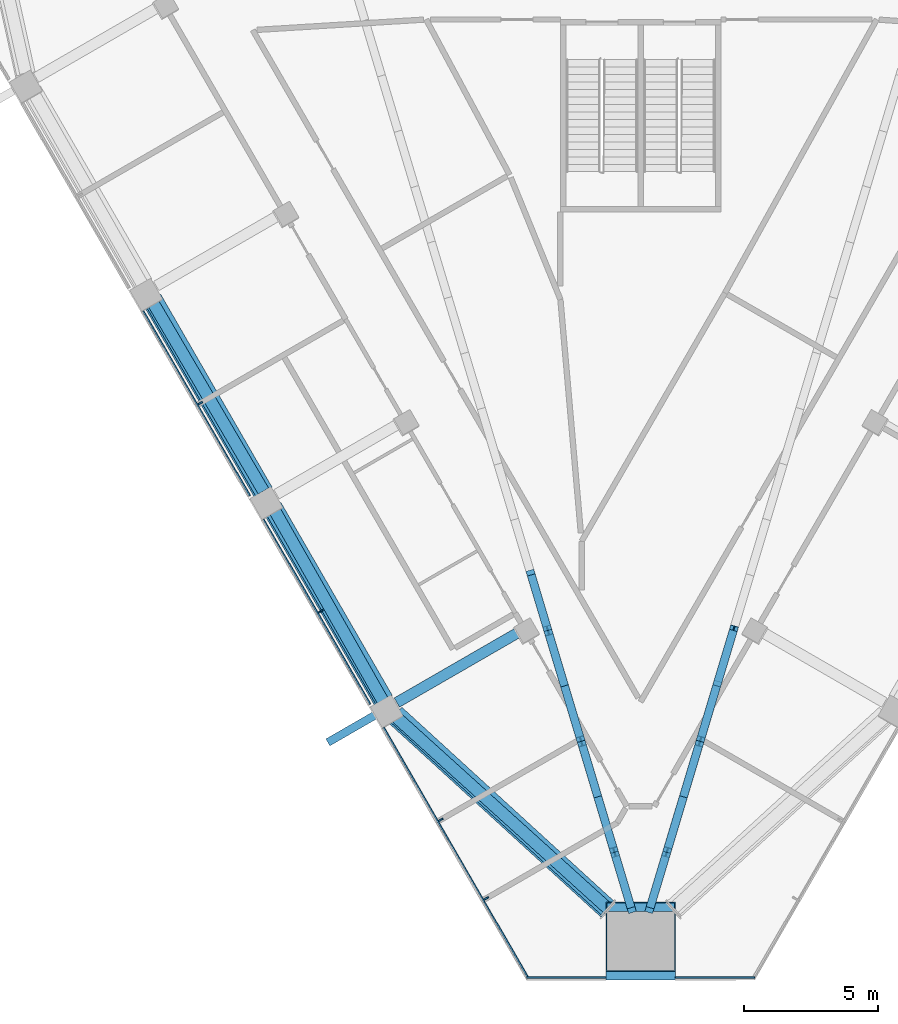
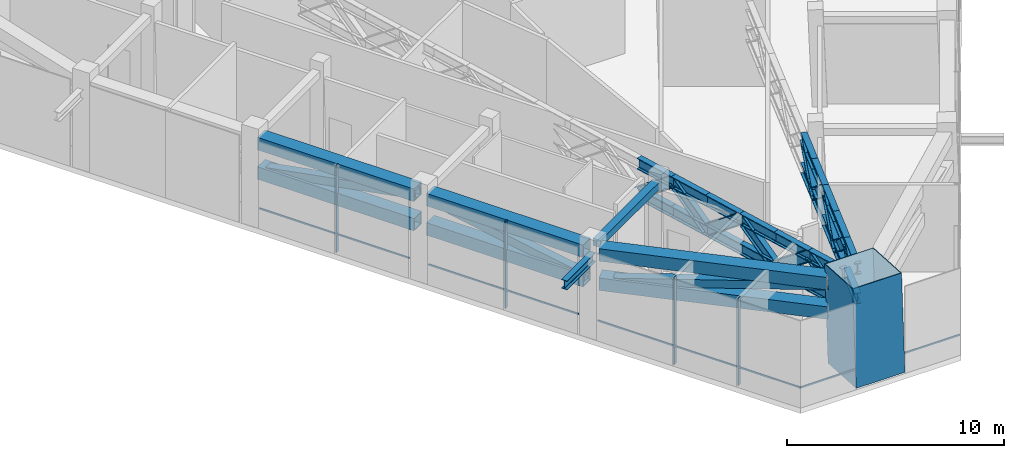
# One storey, part 2 of 15: 53 members, 1 beam, 2 elements without a shape of their own.
"""IFC4 building model written with IfcOpenShell, lengths in metres."""

from ifc_helpers import new_model, si_unit, direction, frame, origin, origin_2d, place, context, subcontext, project, spatial, rectangle, hollow_rectangle, i_section, extrude, material, layer, layer_set, material_profile, profile_set, type_object, element, aggregate, save


model = new_model("IFC4")

# Units and contexts
model_context = context("Model", 3, precision=1e-05, world=origin(), true_north=direction((0.0, 1.0)))
body_context = subcontext(model_context, "Body", "Model", "MODEL_VIEW")
ifc_project = project(units=[si_unit("LENGTHUNIT", "METRE"), si_unit("AREAUNIT", "SQUARE_METRE"), si_unit("VOLUMEUNIT", "CUBIC_METRE"), si_unit("PLANEANGLEUNIT", "RADIAN"), si_unit("MASSUNIT", "GRAM", prefix="KILO")], contexts=[model_context])

# Site, building, storey
site_placement = place(None, origin())
site = spatial("IfcSite", under=ifc_project, at=site_placement, CompositionType="ELEMENT")
building_placement = place(site_placement, origin())
building = spatial("IfcBuilding", under=site, at=building_placement, Name="Altiplano Prism Tower", CompositionType="ELEMENT")
storey_placement = place(building_placement, frame((0.0, 0.0, 95.39990234375)))
storey = spatial("IfcBuildingStorey", under=building, at=storey_placement, Name="L24", CompositionType="ELEMENT", Elevation=95.39990234375)

# Members
ifc_material_1 = material(Name="Steel S355", Category="steel")
ifc_material_profile_1 = material_profile(ifc_material_1, hollow_rectangle(XDim=0.699951171875, YDim=0.699951171875, WallThickness=0.034912109375, at=origin_2d()), Name="Belt chord Box 700x700x35")
ifc_profile_set_1 = profile_set([ifc_material_profile_1], Name="Steel S355")
member_type_1 = type_object("IfcMemberType", Name="Belt chord Box 700x700x35", PredefinedType="CHORD", material=ifc_profile_set_1)
member_1_placement = place(storey_placement, frame((66.70361328125, 80.082275390625, 2.9501953125), z_axis=(0.499992746786, -0.866029591389, 0.0), x_axis=(0.866029591389, 0.499992746786, 0.0)))
element("IfcMember", 1, at=member_1_placement, inside=storey, type_object=member_type_1, Name="Belt truss R1 chord b7", PredefinedType="CHORD", context=body_context, shape_type="SweptSolid", body=[
    extrude(hollow_rectangle(XDim=0.699951171875, YDim=0.699951171875, WallThickness=0.034912109375, at=origin_2d()), origin(), (0.0, 0.0, 1.0), 8.33984375),
])
member_2_placement = place(storey_placement, frame((66.739013671875, 80.143798828125, 4.550048828125), z_axis=(0.500014701701, -0.866016915587, 0.0), x_axis=(0.866016915587, 0.500014701701, 0.0)))
element("IfcMember", 2, at=member_2_placement, inside=storey, type_object=member_type_1, Name="Belt truss R1 chord t7", PredefinedType="CHORD", context=body_context, shape_type="SweptSolid", body=[
    extrude(hollow_rectangle(XDim=0.699951171875, YDim=0.699951171875, WallThickness=0.034912109375, at=origin_2d()), origin(), (0.0, 0.0, 1.0), 8.340087890625),
])
member_3_placement = place(storey_placement, frame((71.20361328125, 72.2880859375, 2.9501953125), z_axis=(0.499992746786, -0.866029591389, 0.0), x_axis=(0.866029591389, 0.499992746786, 0.0)))
element("IfcMember", 3, at=member_3_placement, inside=storey, type_object=member_type_1, Name="Belt truss R1 chord b8", PredefinedType="CHORD", context=body_context, shape_type="SweptSolid", body=[
    extrude(hollow_rectangle(XDim=0.699951171875, YDim=0.699951171875, WallThickness=0.034912109375, at=origin_2d()), origin(), (0.0, 0.0, 1.0), 8.33984375),
])
member_4_placement = place(storey_placement, frame((71.239013671875, 72.349609375, 4.550048828125), z_axis=(0.500014701701, -0.866016915587, 0.0), x_axis=(0.866016915587, 0.500014701701, 0.0)))
element("IfcMember", 4, at=member_4_placement, inside=storey, type_object=member_type_1, Name="Belt truss R1 chord t8", PredefinedType="CHORD", context=body_context, shape_type="SweptSolid", body=[
    extrude(hollow_rectangle(XDim=0.699951171875, YDim=0.699951171875, WallThickness=0.034912109375, at=origin_2d()), origin(), (0.0, 0.0, 1.0), 8.340087890625),
])
member_5_placement = place(storey_placement, frame((75.79833984375, 64.5419921875, 2.9501953125), z_axis=(0.738109005896, -0.674681477006, 0.0), x_axis=(0.674681477006, 0.738109005896, 0.0)))
element("IfcMember", 5, at=member_5_placement, inside=storey, type_object=member_type_1, Name="Belt truss R1 chord b9", PredefinedType="CHORD", context=body_context, shape_type="SweptSolid", body=[
    extrude(hollow_rectangle(XDim=0.699951171875, YDim=0.699951171875, WallThickness=0.034912109375, at=origin_2d()), origin(), (0.0, 0.0, 1.0), 10.78515625),
])
member_6_placement = place(storey_placement, frame((75.833984375, 64.603515625, 4.550048828125), z_axis=(0.738081220215, -0.674711873592, 0.0), x_axis=(0.674711873592, 0.738081220215, 0.0)))
element("IfcMember", 6, at=member_6_placement, inside=storey, type_object=member_type_1, Name="Belt truss R1 chord t9", PredefinedType="CHORD", context=body_context, shape_type="SweptSolid", body=[
    extrude(hollow_rectangle(XDim=0.699951171875, YDim=0.699951171875, WallThickness=0.034912109375, at=origin_2d()), origin(), (0.0, 0.0, 1.0), 10.7373046875),
])
ifc_material_profile_2 = material_profile(ifc_material_1, hollow_rectangle(XDim=0.449951171875, YDim=0.449951171875, WallThickness=0.02490234375, at=origin_2d()), Name="Belt diagonal Box 450x450x25")
ifc_profile_set_2 = profile_set([ifc_material_profile_2], Name="Steel S355")
member_type_2 = type_object("IfcMemberType", Name="Belt diagonal Box 450x450x25", PredefinedType="BRACE", material=ifc_profile_set_2)
member_7_placement = place(storey_placement, frame((66.70556640625, 80.083251953125, 3.009033203125), z_axis=(0.498070077838, -0.849150154203, 0.175699212234), x_axis=(0.862568356186, 0.50594054088, 0.0)))
element("IfcMember", 7, at=member_7_placement, inside=storey, type_object=member_type_2, Name="Belt truss R1 diagonal 7", PredefinedType="BRACE", context=body_context, shape_type="SweptSolid", body=[
    extrude(hollow_rectangle(XDim=0.449951171875, YDim=0.449951171875, WallThickness=0.02490234375, at=origin_2d()), origin(), (0.0, 0.0, 1.0), 8.435791015625),
])
member_8_placement = place(storey_placement, frame((71.237060546875, 72.348388671875, 4.49169921875), z_axis=(0.486525163526, -0.856090263258, -0.174363776085), x_axis=(0.869408465859, 0.494094039118, 0.0)))
element("IfcMember", 8, at=member_8_placement, inside=storey, type_object=member_type_2, Name="Belt truss R1 diagonal 8", PredefinedType="BRACE", context=body_context, shape_type="SweptSolid", body=[
    extrude(hollow_rectangle(XDim=0.449951171875, YDim=0.449951171875, WallThickness=0.02490234375, at=origin_2d()), origin(), (0.0, 0.0, 1.0), 8.506103515625),
])
member_9_placement = place(storey_placement, frame((75.799560546875, 64.54345703125, 2.994140625), z_axis=(0.73597993285, -0.665463246419, 0.12446769102), x_axis=(0.670678670974, 0.741748016715, 0.0)))
element("IfcMember", 9, at=member_9_placement, inside=storey, type_object=member_type_2, Name="Belt truss R1 diagonal 9", PredefinedType="BRACE", context=body_context, shape_type="SweptSolid", body=[
    extrude(hollow_rectangle(XDim=0.449951171875, YDim=0.449951171875, WallThickness=0.02490234375, at=origin_2d()), origin(), (0.0, 0.0, 1.0), 10.846923828125),
])
ifc_material_profile_3 = material_profile(ifc_material_1, i_section(OverallWidth=0.300048828125, OverallDepth=0.5, WebThickness=0.014404296875, FlangeThickness=0.028076171875, FilletRadius=0.027099609375, at=origin_2d()), Name="Brace bracket HEB 500")
ifc_profile_set_3 = profile_set([ifc_material_profile_3], Name="Steel S355")
member_type_3 = type_object("IfcMemberType", Name="Brace bracket HEB 500", PredefinedType="STRUT", material=ifc_profile_set_3)
member_10_placement = place(storey_placement, frame((75.593017578125, 64.873779296875, 4.165283203125), z_axis=(-0.866029095148, -0.499993606316, 0.0), x_axis=(0.499993606316, -0.866029095148, 0.0)))
element("IfcMember", 10, at=member_10_placement, inside=storey, type_object=member_type_3, Name="Brace bracket 1.100.8", PredefinedType="STRUT", context=body_context, shape_type="SweptSolid", body=[
    extrude(i_section(OverallWidth=0.300048828125, OverallDepth=0.5, WebThickness=0.014404296875, FlangeThickness=0.028076171875, FilletRadius=0.027099609375, at=origin_2d()), origin(), (0.0, 0.0, 1.0), 2.64990234375),
])

# Curtain wall, members
ifc_material_2 = material(Name="Aluminium and glass", Category="aluminium")
ifc_layer = layer(ifc_material_2, 0.320068359375)
ifc_layer_set = layer_set([ifc_layer], Name="Aluminium and glass")
curtain_wall_type = type_object("IfcCurtainWallType", Name="CW6 louvred plant-floor curtain wall", PredefinedType="NOTDEFINED", material=ifc_layer_set)
curtain_wall_1_placement = place(storey_placement, origin())
curtain_wall_1 = element("IfcCurtainWall", 11, at=curtain_wall_1_placement, inside=storey, type_object=curtain_wall_type, Name="CW6 curtain wall south-west face L24", PredefinedType="NOTDEFINED")
ifc_material_3 = material(Name="Aluminium", Category="aluminium")
ifc_material_profile_4 = material_profile(ifc_material_3, rectangle(XDim=0.199951171875, YDim=0.06005859375, at=origin_2d()), Name="CW6 mullion 60 x 200")
ifc_profile_set_4 = profile_set([ifc_material_profile_4], Name="Aluminium")
member_type_4 = type_object("IfcMemberType", Name="CW6 mullion 60 x 200", PredefinedType="MULLION", material=ifc_profile_set_4)
member_11_placement = place(storey_placement, frame((68.523681640625, 76.242431640625, 0.0), z_axis=(0.0, 0.0, 1.0), x_axis=(0.86602540498, 0.499999997929, 0.0)))
member_11 = element("IfcMember", 12, at=member_11_placement, type_object=member_type_4, Name="CW6 mullion", PredefinedType="MULLION", context=body_context, shape_type="SweptSolid", body=[
    extrude(rectangle(XDim=0.199951171875, YDim=0.06005859375, at=origin_2d()), origin(), (0.0, 0.0, 1.0), 4.900146484375),
])
member_12_placement = place(storey_placement, frame((73.023681640625, 68.4482421875, 0.0), z_axis=(0.0, 0.0, 1.0), x_axis=(0.86602540498, 0.499999997929, 0.0)))
member_12 = element("IfcMember", 13, at=member_12_placement, type_object=member_type_4, Name="CW6 mullion", PredefinedType="MULLION", context=body_context, shape_type="SweptSolid", body=[
    extrude(rectangle(XDim=0.199951171875, YDim=0.06005859375, at=origin_2d()), origin(), (0.0, 0.0, 1.0), 4.900146484375),
])
member_13_placement = place(storey_placement, frame((77.523681640625, 60.65380859375, 0.0), z_axis=(0.0, 0.0, 1.0), x_axis=(0.86602540498, 0.499999997929, 0.0)))
member_13 = element("IfcMember", 14, at=member_13_placement, type_object=member_type_4, Name="CW6 mullion", PredefinedType="MULLION", context=body_context, shape_type="SweptSolid", body=[
    extrude(rectangle(XDim=0.199951171875, YDim=0.06005859375, at=origin_2d()), origin(), (0.0, 0.0, 1.0), 4.900146484375),
])
member_14_placement = place(storey_placement, frame((79.22265625, 57.711181640625, 0.0), z_axis=(0.0, 0.0, 1.0), x_axis=(0.86602540498, 0.499999997929, 0.0)))
member_14 = element("IfcMember", 15, at=member_14_placement, type_object=member_type_4, Name="CW6 mullion", PredefinedType="MULLION", context=body_context, shape_type="SweptSolid", body=[
    extrude(rectangle(XDim=0.199951171875, YDim=0.06005859375, at=origin_2d()), origin(), (0.0, 0.0, 1.0), 4.900146484375),
])
ifc_material_profile_5 = material_profile(ifc_material_3, rectangle(XDim=0.06005859375, YDim=0.080078125, at=origin_2d()), Name="CW6 transom 80 x 60")
ifc_profile_set_5 = profile_set([ifc_material_profile_5], Name="Aluminium")
member_type_5 = type_object("IfcMemberType", Name="CW6 transom 80 x 60", PredefinedType="USERDEFINED", material=ifc_profile_set_5)
member_15_placement = place(storey_placement, frame((66.38623046875, 79.684814453125, 1.10009765625), z_axis=(0.499998759335, -0.866026120082, 0.0), x_axis=(0.866026120082, 0.499998759335, 0.0)))
member_15 = element("IfcMember", 16, at=member_15_placement, type_object=member_type_5, Name="CW6 transom", ObjectType="TRANSOM", PredefinedType="USERDEFINED", context=body_context, shape_type="SweptSolid", body=[
    extrude(rectangle(XDim=0.06005859375, YDim=0.080078125, at=origin_2d()), origin(), (0.0, 0.0, 1.0), 7.97998046875),
])
member_16_placement = place(storey_placement, frame((70.88623046875, 71.890380859375, 1.10009765625), z_axis=(0.500012007223, -0.8660184713, 0.0), x_axis=(0.8660184713, 0.500012007223, 0.0)))
member_16 = element("IfcMember", 17, at=member_16_placement, type_object=member_type_5, Name="CW6 transom", ObjectType="TRANSOM", PredefinedType="USERDEFINED", context=body_context, shape_type="SweptSolid", body=[
    extrude(rectangle(XDim=0.06005859375, YDim=0.080078125, at=origin_2d()), origin(), (0.0, 0.0, 1.0), 7.979736328125),
])
member_17_placement = place(storey_placement, frame((75.38623046875, 64.09619140625, 1.10009765625), z_axis=(0.500003046405, -0.866023644935, 0.0), x_axis=(0.866023644935, 0.500003046405, 0.0)))
member_17 = element("IfcMember", 18, at=member_17_placement, type_object=member_type_5, Name="CW6 transom", ObjectType="TRANSOM", PredefinedType="USERDEFINED", context=body_context, shape_type="SweptSolid", body=[
    extrude(rectangle(XDim=0.06005859375, YDim=0.080078125, at=origin_2d()), origin(), (0.0, 0.0, 1.0), 10.845703125),
])
aggregate(curtain_wall_1, [member_11, member_15, member_12, member_16, member_13, member_14, member_17])

curtain_wall_2_placement = place(storey_placement, origin())
curtain_wall_2 = element("IfcCurtainWall", 19, at=curtain_wall_2_placement, inside=storey, type_object=curtain_wall_type, Name="CW6 curtain wall south chamfer L24", PredefinedType="NOTDEFINED")
member_18_placement = place(storey_placement, frame((80.731201171875, 54.74853515625, 1.10009765625), z_axis=(1.0, 0.0, 0.0), x_axis=(0.0, 1.0, 0.0)))
member_18 = element("IfcMember", 20, at=member_18_placement, type_object=member_type_5, Name="CW6 transom", ObjectType="TRANSOM", PredefinedType="USERDEFINED", context=body_context, shape_type="SweptSolid", body=[
    extrude(rectangle(XDim=0.06005859375, YDim=0.080078125, at=origin_2d()), origin(), (0.0, 0.0, 1.0), 2.96875),
])
member_19_placement = place(storey_placement, frame((86.300048828125, 54.74853515625, 1.10009765625), z_axis=(1.0, 0.0, 0.0), x_axis=(0.0, 1.0, 0.0)))
member_19 = element("IfcMember", 21, at=member_19_placement, type_object=member_type_5, Name="CW6 transom", ObjectType="TRANSOM", PredefinedType="USERDEFINED", context=body_context, shape_type="SweptSolid", body=[
    extrude(rectangle(XDim=0.06005859375, YDim=0.080078125, at=origin_2d()), origin(), (0.0, 0.0, 1.0), 2.96875),
])
aggregate(curtain_wall_2, [member_18, member_19])

# Members
ifc_material_4 = material(Name="Steel S460", Category="steel")
ifc_material_profile_6 = material_profile(ifc_material_4, hollow_rectangle(XDim=2.60009765625, YDim=2.60009765625, WallThickness=0.0400390625, at=origin_2d()), Name="Mega column tube 2600")
ifc_profile_set_6 = profile_set([ifc_material_profile_6], Name="Steel S460")
member_type_6 = type_object("IfcMemberType", Name="Mega column tube 2600", PredefinedType="POST", material=ifc_profile_set_6)
member_20_placement = place(storey_placement, frame((85.0, 55.95849609375, 0.0), z_axis=(0.0, 0.058356907999, 0.998295783467), x_axis=(-1.0, 0.0, 0.0)))
element("IfcMember", 22, at=member_20_placement, inside=storey, type_object=member_type_6, Name="Mega column tube M1 L24", PredefinedType="POST", context=body_context, shape_type="SweptSolid", body=[
    extrude(hollow_rectangle(XDim=2.60009765625, YDim=2.60009765625, WallThickness=0.0400390625, at=origin_2d()), origin(), (0.0, 0.0, 1.0), 5.409423828125),
])
ifc_material_profile_7 = material_profile(ifc_material_1, i_section(OverallWidth=0.304931640625, OverallDepth=0.6201171875, WebThickness=0.02099609375, FlangeThickness=0.0400390625, FilletRadius=0.027099609375, at=origin_2d()), Name="Outrigger chord HEM 600")
ifc_profile_set_7 = profile_set([ifc_material_profile_7], Name="Steel S355")
member_type_7 = type_object("IfcMemberType", Name="Outrigger chord HEM 600", PredefinedType="CHORD", material=ifc_profile_set_7)
for number, where, z_axis, x_axis, name in (
    (23, (84.644287109375, 57.36279296875, 2.91015625), (-0.287420241393, 0.957804575494, 0.0), (-0.957804575494, -0.287420241393, 0.0), "Outrigger truss R1 3 chord b1"),
    (24, (84.644287109375, 57.36279296875, 4.590087890625), (-0.287420241393, 0.957804575494, 0.0), (-0.957804575494, -0.287420241393, 0.0), "Outrigger truss R1 3 chord t1"),
):
    element("IfcMember", number, at=place(storey_placement, frame(where, z_axis=z_axis, x_axis=x_axis)), inside=storey, type_object=member_type_7, Name=name, PredefinedType="CHORD", context=body_context, shape_type="SweptSolid", body=[
        extrude(i_section(OverallWidth=0.304931640625, OverallDepth=0.6201171875, WebThickness=0.02099609375, FlangeThickness=0.0400390625, FilletRadius=0.027099609375, at=origin_2d()), origin(), (0.0, 0.0, 1.0), 2.1669921875),
    ])
for number, where, z_axis, x_axis, name in (
    (25, (84.021484375, 59.438232421875, 2.91015625), (-0.287451261687, 0.957795266304, 0.0), (-0.957795266304, -0.287451261687, 0.0), "Outrigger truss R1 3 chord b2"),
    (26, (84.021484375, 59.438232421875, 4.590087890625), (-0.287451261687, 0.957795266304, 0.0), (-0.957795266304, -0.287451261687, 0.0), "Outrigger truss R1 3 chord t2"),
):
    element("IfcMember", number, at=place(storey_placement, frame(where, z_axis=z_axis, x_axis=x_axis)), inside=storey, type_object=member_type_7, Name=name, PredefinedType="CHORD", context=body_context, shape_type="SweptSolid", body=[
        extrude(i_section(OverallWidth=0.304931640625, OverallDepth=0.6201171875, WebThickness=0.02099609375, FlangeThickness=0.0400390625, FilletRadius=0.027099609375, at=origin_2d()), origin(), (0.0, 0.0, 1.0), 2.166748046875),
    ])
for number, where, z_axis, x_axis, name in (
    (27, (83.398681640625, 61.513427734375, 2.91015625), (-0.287420241393, 0.957804575494, 0.0), (-0.957804575494, -0.287420241393, 0.0), "Outrigger truss R1 3 chord b3"),
    (28, (83.398681640625, 61.513427734375, 4.590087890625), (-0.287420241393, 0.957804575494, 0.0), (-0.957804575494, -0.287420241393, 0.0), "Outrigger truss R1 3 chord t3"),
):
    element("IfcMember", number, at=place(storey_placement, frame(where, z_axis=z_axis, x_axis=x_axis)), inside=storey, type_object=member_type_7, Name=name, PredefinedType="CHORD", context=body_context, shape_type="SweptSolid", body=[
        extrude(i_section(OverallWidth=0.304931640625, OverallDepth=0.6201171875, WebThickness=0.02099609375, FlangeThickness=0.0400390625, FilletRadius=0.027099609375, at=origin_2d()), origin(), (0.0, 0.0, 1.0), 2.1669921875),
    ])
for number, where, z_axis, x_axis, name in (
    (29, (82.77587890625, 63.5888671875, 2.91015625), (-0.287347885566, 0.957826285221, 0.0), (-0.957826285221, -0.287347885566, 0.0), "Outrigger truss R1 3 chord b4"),
    (30, (82.77587890625, 63.5888671875, 4.590087890625), (-0.287347885566, 0.957826285221, 0.0), (-0.957826285221, -0.287347885566, 0.0), "Outrigger truss R1 3 chord t4"),
):
    element("IfcMember", number, at=place(storey_placement, frame(where, z_axis=z_axis, x_axis=x_axis)), inside=storey, type_object=member_type_7, Name=name, PredefinedType="CHORD", context=body_context, shape_type="SweptSolid", body=[
        extrude(i_section(OverallWidth=0.304931640625, OverallDepth=0.6201171875, WebThickness=0.02099609375, FlangeThickness=0.0400390625, FilletRadius=0.027099609375, at=origin_2d()), origin(), (0.0, 0.0, 1.0), 2.16650390625),
    ])
for number, where, z_axis, x_axis, name in (
    (31, (82.1533203125, 65.6640625, 2.91015625), (-0.287420241393, 0.957804575494, 0.0), (-0.957804575494, -0.287420241393, 0.0), "Outrigger truss R1 3 chord b5"),
    (32, (82.1533203125, 65.6640625, 4.590087890625), (-0.287420241393, 0.957804575494, 0.0), (-0.957804575494, -0.287420241393, 0.0), "Outrigger truss R1 3 chord t5"),
    (33, (81.530517578125, 67.739501953125, 2.91015625), (-0.287420241393, 0.957804575494, 0.0), (-0.957804575494, -0.287420241393, 0.0), "Outrigger truss R1 3 chord b6"),
    (34, (81.530517578125, 67.739501953125, 4.590087890625), (-0.287420241393, 0.957804575494, 0.0), (-0.957804575494, -0.287420241393, 0.0), "Outrigger truss R1 3 chord t6"),
    (35, (85.355712890625, 57.36279296875, 2.91015625), (0.287420241393, 0.957804575494, 0.0), (-0.957804575494, 0.287420241393, 0.0), "Outrigger truss R1 4 chord b1"),
    (36, (85.355712890625, 57.36279296875, 4.590087890625), (0.287420241393, 0.957804575494, 0.0), (-0.957804575494, 0.287420241393, 0.0), "Outrigger truss R1 4 chord t1"),
):
    element("IfcMember", number, at=place(storey_placement, frame(where, z_axis=z_axis, x_axis=x_axis)), inside=storey, type_object=member_type_7, Name=name, PredefinedType="CHORD", context=body_context, shape_type="SweptSolid", body=[
        extrude(i_section(OverallWidth=0.304931640625, OverallDepth=0.6201171875, WebThickness=0.02099609375, FlangeThickness=0.0400390625, FilletRadius=0.027099609375, at=origin_2d()), origin(), (0.0, 0.0, 1.0), 2.1669921875),
    ])
for number, where, z_axis, x_axis, name in (
    (37, (85.978515625, 59.438232421875, 2.91015625), (0.287451261687, 0.957795266304, 0.0), (-0.957795266304, 0.287451261687, 0.0), "Outrigger truss R1 4 chord b2"),
    (38, (85.978515625, 59.438232421875, 4.590087890625), (0.287451261687, 0.957795266304, 0.0), (-0.957795266304, 0.287451261687, 0.0), "Outrigger truss R1 4 chord t2"),
):
    element("IfcMember", number, at=place(storey_placement, frame(where, z_axis=z_axis, x_axis=x_axis)), inside=storey, type_object=member_type_7, Name=name, PredefinedType="CHORD", context=body_context, shape_type="SweptSolid", body=[
        extrude(i_section(OverallWidth=0.304931640625, OverallDepth=0.6201171875, WebThickness=0.02099609375, FlangeThickness=0.0400390625, FilletRadius=0.027099609375, at=origin_2d()), origin(), (0.0, 0.0, 1.0), 2.166748046875),
    ])
for number, where, z_axis, x_axis, name in (
    (39, (86.601318359375, 61.513427734375, 2.91015625), (0.287420241393, 0.957804575494, 0.0), (-0.957804575494, 0.287420241393, 0.0), "Outrigger truss R1 4 chord b3"),
    (40, (86.601318359375, 61.513427734375, 4.590087890625), (0.287420241393, 0.957804575494, 0.0), (-0.957804575494, 0.287420241393, 0.0), "Outrigger truss R1 4 chord t3"),
):
    element("IfcMember", number, at=place(storey_placement, frame(where, z_axis=z_axis, x_axis=x_axis)), inside=storey, type_object=member_type_7, Name=name, PredefinedType="CHORD", context=body_context, shape_type="SweptSolid", body=[
        extrude(i_section(OverallWidth=0.304931640625, OverallDepth=0.6201171875, WebThickness=0.02099609375, FlangeThickness=0.0400390625, FilletRadius=0.027099609375, at=origin_2d()), origin(), (0.0, 0.0, 1.0), 2.1669921875),
    ])
for number, where, z_axis, x_axis, name in (
    (41, (87.22412109375, 63.5888671875, 2.91015625), (0.287347885566, 0.957826285221, 0.0), (-0.957826285221, 0.287347885566, 0.0), "Outrigger truss R1 4 chord b4"),
    (42, (87.22412109375, 63.5888671875, 4.590087890625), (0.287347885566, 0.957826285221, 0.0), (-0.957826285221, 0.287347885566, 0.0), "Outrigger truss R1 4 chord t4"),
):
    element("IfcMember", number, at=place(storey_placement, frame(where, z_axis=z_axis, x_axis=x_axis)), inside=storey, type_object=member_type_7, Name=name, PredefinedType="CHORD", context=body_context, shape_type="SweptSolid", body=[
        extrude(i_section(OverallWidth=0.304931640625, OverallDepth=0.6201171875, WebThickness=0.02099609375, FlangeThickness=0.0400390625, FilletRadius=0.027099609375, at=origin_2d()), origin(), (0.0, 0.0, 1.0), 2.16650390625),
    ])
for number, where, z_axis, x_axis, name in (
    (43, (87.8466796875, 65.6640625, 2.91015625), (0.287420241393, 0.957804575494, 0.0), (-0.957804575494, 0.287420241393, 0.0), "Outrigger truss R1 4 chord b5"),
    (44, (87.8466796875, 65.6640625, 4.590087890625), (0.287420241393, 0.957804575494, 0.0), (-0.957804575494, 0.287420241393, 0.0), "Outrigger truss R1 4 chord t5"),
):
    element("IfcMember", number, at=place(storey_placement, frame(where, z_axis=z_axis, x_axis=x_axis)), inside=storey, type_object=member_type_7, Name=name, PredefinedType="CHORD", context=body_context, shape_type="SweptSolid", body=[
        extrude(i_section(OverallWidth=0.304931640625, OverallDepth=0.6201171875, WebThickness=0.02099609375, FlangeThickness=0.0400390625, FilletRadius=0.027099609375, at=origin_2d()), origin(), (0.0, 0.0, 1.0), 2.1669921875),
    ])
ifc_material_profile_8 = material_profile(ifc_material_1, i_section(OverallWidth=0.300048828125, OverallDepth=0.60009765625, WebThickness=0.015380859375, FlangeThickness=0.030029296875, FilletRadius=0.027099609375, at=origin_2d()), Name="Outrigger diagonal HEB 600")
ifc_profile_set_8 = profile_set([ifc_material_profile_8], Name="Steel S355")
member_type_8 = type_object("IfcMemberType", Name="Outrigger diagonal HEB 600", PredefinedType="BRACE", material=ifc_profile_set_8)
for number, where, z_axis, x_axis, name in (
    (45, (84.644287109375, 57.36279296875, 2.91015625), (-0.227150512193, 0.756960605313, 0.612709790043), (-0.957804575494, -0.287420241393, 0.0), "Outrigger truss R1 3 diagonal 1"),
    (46, (84.021484375, 59.438232421875, 4.590087890625), (-0.227165823372, 0.756922578855, -0.612751090012), (-0.957795266304, -0.287451261687, 0.0), "Outrigger truss R1 3 diagonal 2"),
    (47, (83.398681640625, 61.513427734375, 2.91015625), (-0.227150512193, 0.756960605313, 0.612709790043), (-0.957804575494, -0.287420241393, 0.0), "Outrigger truss R1 3 diagonal 3"),
):
    element("IfcMember", number, at=place(storey_placement, frame(where, z_axis=z_axis, x_axis=x_axis)), inside=storey, type_object=member_type_8, Name=name, PredefinedType="BRACE", context=body_context, shape_type="SweptSolid", body=[
        extrude(i_section(OverallWidth=0.300048828125, OverallDepth=0.60009765625, WebThickness=0.015380859375, FlangeThickness=0.030029296875, FilletRadius=0.027099609375, at=origin_2d()), origin(), (0.0, 0.0, 1.0), 2.74169921875),
    ])
member_21_placement = place(storey_placement, frame((82.77587890625, 63.5888671875, 4.590087890625), z_axis=(-0.227081366443, 0.756937888145, -0.612763483332), x_axis=(-0.957826285221, -0.287347885566, 0.0)))
element("IfcMember", 48, at=member_21_placement, inside=storey, type_object=member_type_8, Name="Outrigger truss R1 3 diagonal 4", PredefinedType="BRACE", context=body_context, shape_type="SweptSolid", body=[
    extrude(i_section(OverallWidth=0.300048828125, OverallDepth=0.60009765625, WebThickness=0.015380859375, FlangeThickness=0.030029296875, FilletRadius=0.027099609375, at=origin_2d()), origin(), (0.0, 0.0, 1.0), 2.741455078125),
])
for number, where, z_axis, x_axis, name in (
    (49, (82.1533203125, 65.6640625, 2.91015625), (-0.227150512193, 0.756960605313, 0.612709790043), (-0.957804575494, -0.287420241393, 0.0), "Outrigger truss R1 3 diagonal 5"),
    (50, (81.530517578125, 67.739501953125, 4.590087890625), (-0.227150512193, 0.756960605313, -0.612709790043), (-0.957804575494, -0.287420241393, 0.0), "Outrigger truss R1 3 diagonal 6"),
    (51, (85.355712890625, 57.36279296875, 2.91015625), (0.227150512193, 0.756960605313, 0.612709790043), (-0.957804575494, 0.287420241393, 0.0), "Outrigger truss R1 4 diagonal 1"),
    (52, (85.978515625, 59.438232421875, 4.590087890625), (0.227165823372, 0.756922578855, -0.612751090012), (-0.957795266304, 0.287451261687, 0.0), "Outrigger truss R1 4 diagonal 2"),
    (53, (86.601318359375, 61.513427734375, 2.91015625), (0.227150512193, 0.756960605313, 0.612709790043), (-0.957804575494, 0.287420241393, 0.0), "Outrigger truss R1 4 diagonal 3"),
):
    element("IfcMember", number, at=place(storey_placement, frame(where, z_axis=z_axis, x_axis=x_axis)), inside=storey, type_object=member_type_8, Name=name, PredefinedType="BRACE", context=body_context, shape_type="SweptSolid", body=[
        extrude(i_section(OverallWidth=0.300048828125, OverallDepth=0.60009765625, WebThickness=0.015380859375, FlangeThickness=0.030029296875, FilletRadius=0.027099609375, at=origin_2d()), origin(), (0.0, 0.0, 1.0), 2.74169921875),
    ])
member_22_placement = place(storey_placement, frame((87.22412109375, 63.5888671875, 4.590087890625), z_axis=(0.227081366443, 0.756937888145, -0.612763483332), x_axis=(-0.957826285221, 0.287347885566, 0.0)))
element("IfcMember", 54, at=member_22_placement, inside=storey, type_object=member_type_8, Name="Outrigger truss R1 4 diagonal 4", PredefinedType="BRACE", context=body_context, shape_type="SweptSolid", body=[
    extrude(i_section(OverallWidth=0.300048828125, OverallDepth=0.60009765625, WebThickness=0.015380859375, FlangeThickness=0.030029296875, FilletRadius=0.027099609375, at=origin_2d()), origin(), (0.0, 0.0, 1.0), 2.741455078125),
])
member_23_placement = place(storey_placement, frame((87.8466796875, 65.6640625, 2.91015625), z_axis=(0.227150512193, 0.756960605313, 0.612709790043), x_axis=(-0.957804575494, 0.287420241393, 0.0)))
element("IfcMember", 55, at=member_23_placement, inside=storey, type_object=member_type_8, Name="Outrigger truss R1 4 diagonal 5", PredefinedType="BRACE", context=body_context, shape_type="SweptSolid", body=[
    extrude(i_section(OverallWidth=0.300048828125, OverallDepth=0.60009765625, WebThickness=0.015380859375, FlangeThickness=0.030029296875, FilletRadius=0.027099609375, at=origin_2d()), origin(), (0.0, 0.0, 1.0), 2.74169921875),
])

# Beam
ifc_material_5 = material(Name="Concrete C60/75", Category="concrete")
ifc_material_profile_9 = material_profile(ifc_material_5, rectangle(XDim=0.39990234375, YDim=0.39990234375, at=origin_2d()), Name="Tie beam 400x400")
ifc_profile_set_9 = profile_set([ifc_material_profile_9], Name="Concrete C60/75")
beam_type = type_object("IfcBeamType", Name="Tie beam 400x400", PredefinedType="BEAM", material=ifc_profile_set_9)
beam_placement = place(storey_placement, frame((80.63330078125, 67.783935546875, 4.7001953125), z_axis=(-0.866023410697, -0.500003452112, 0.0), x_axis=(0.500003452112, -0.866023410697, 0.0)))
element("IfcBeam", 56, at=beam_placement, inside=storey, type_object=beam_type, Name="Tie beam I14 L25", PredefinedType="BEAM", context=body_context, shape_type="SweptSolid", body=[
    extrude(rectangle(XDim=0.39990234375, YDim=0.39990234375, at=origin_2d()), origin(), (0.0, 0.0, 1.0), 5.490234375),
])

save(model, "model.ifc")
